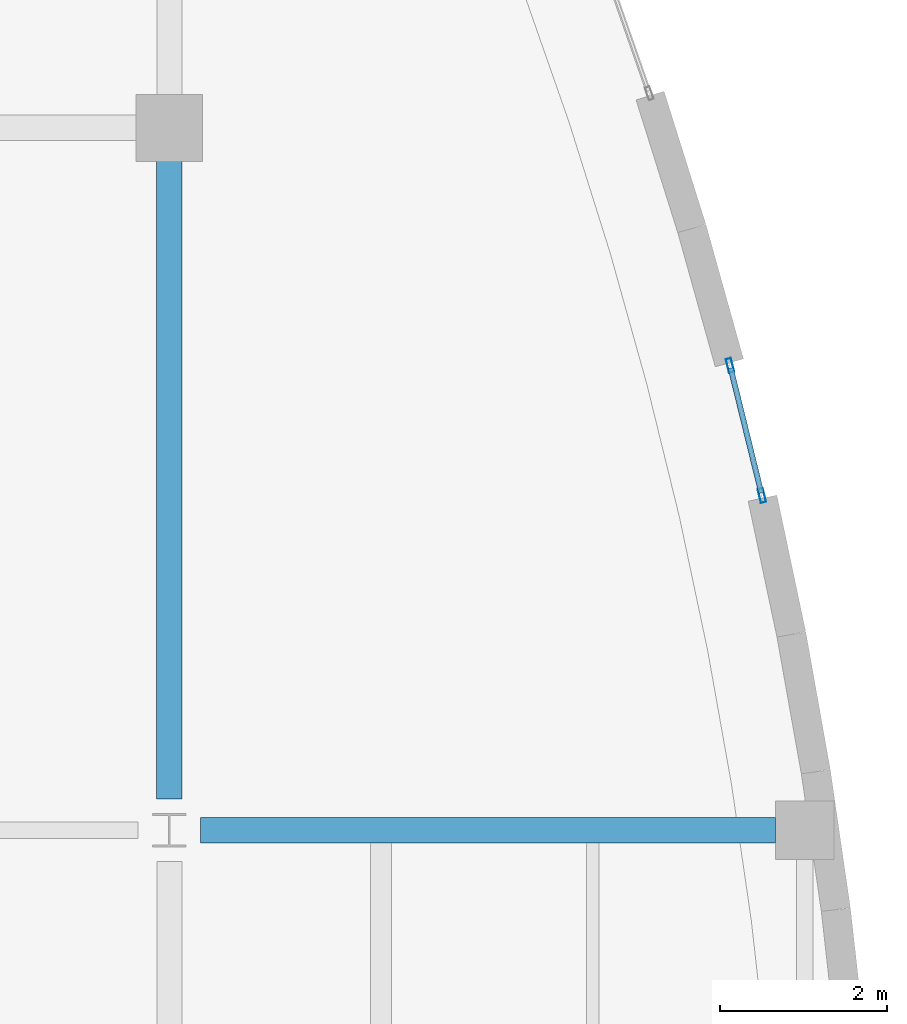
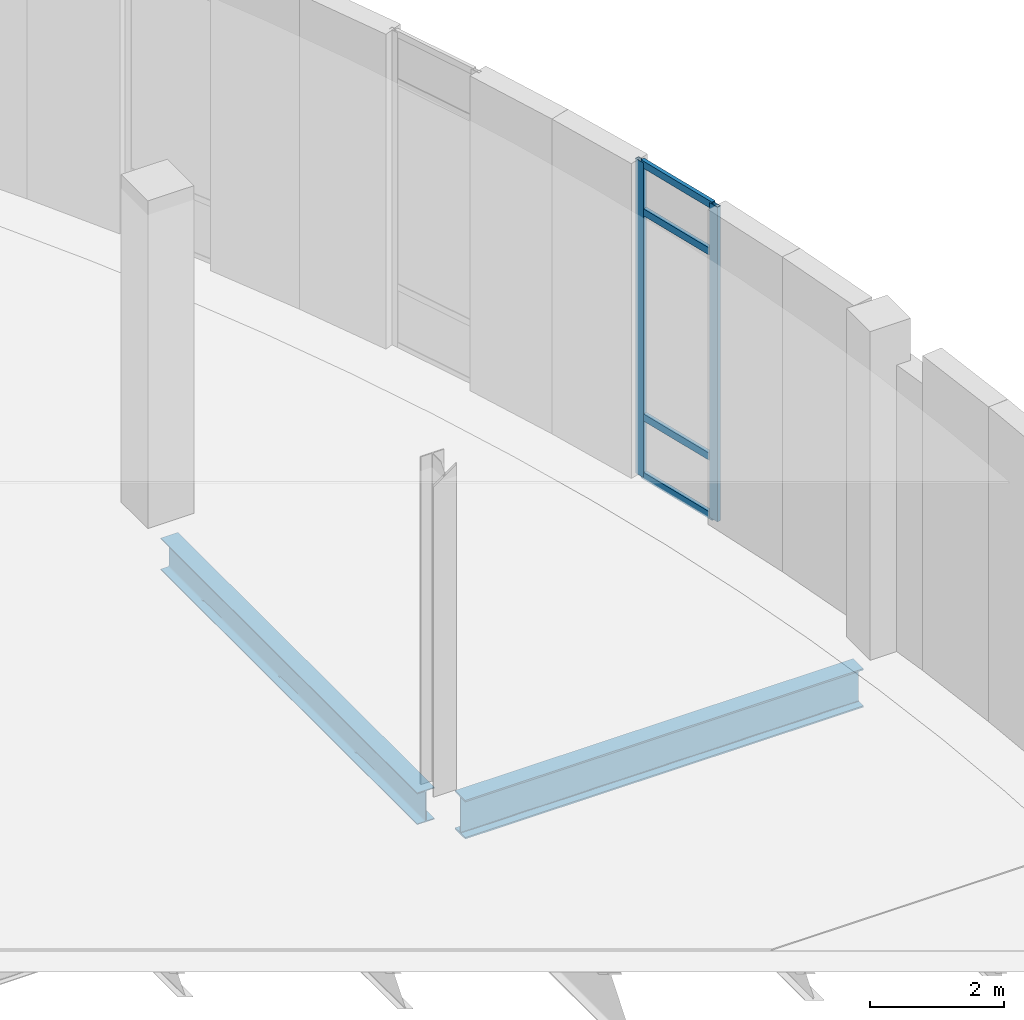
# One storey, part 32 of 85: 6 members, 2 beams, 1 element without a shape of its own.
"""IFC4 building model written with IfcOpenShell, lengths in metres."""

from ifc_helpers import new_model, si_unit, direction, frame, origin, origin_2d, place, context, subcontext, project, spatial, hollow_rectangle, i_section, extrude, material, layer, layer_set, material_profile, profile_set, type_object, element, aggregate, save


model = new_model("IFC4")

# Units and contexts
model_context = context("Model", 3, precision=1e-05, world=origin(), true_north=direction((0.0, 1.0)))
body_context = subcontext(model_context, "Body", "Model", "MODEL_VIEW")
ifc_project = project(units=[si_unit("LENGTHUNIT", "METRE"), si_unit("AREAUNIT", "SQUARE_METRE"), si_unit("VOLUMEUNIT", "CUBIC_METRE"), si_unit("PLANEANGLEUNIT", "RADIAN"), si_unit("MASSUNIT", "GRAM", prefix="KILO"), si_unit("THERMODYNAMICTEMPERATUREUNIT", "KELVIN")], contexts=[model_context])

# Site, building, storey
site_placement = place(None, origin())
site = spatial("IfcSite", under=ifc_project, at=site_placement, CompositionType="ELEMENT")
building_placement = place(site_placement, origin())
building = spatial("IfcBuilding", under=site, at=building_placement, Name="Lustrewick Department Store", CompositionType="ELEMENT")
storey_placement = place(building_placement, origin())
storey = spatial("IfcBuildingStorey", under=building, at=storey_placement, Name="L01", CompositionType="ELEMENT", Elevation=0.0)

# Curtain wall, members
ifc_material_1 = material(Name="Thermally broken aluminium 6063-T5", Category="aluminium")
ifc_layer = layer(ifc_material_1, 0.169921875, Name="Thermally broken aluminium 6063-T5")
ifc_layer_set = layer_set([ifc_layer], Name="Thermally broken aluminium 6063-T5")
curtain_wall_type = type_object("IfcCurtainWallType", Name="CW03", PredefinedType="NOTDEFINED", material=ifc_layer_set)
curtain_wall_placement = place(storey_placement, origin())
curtain_wall = element("IfcCurtainWall", 1, at=curtain_wall_placement, inside=storey, type_object=curtain_wall_type, Name="L01 V4 Curtain Wall CW03", PredefinedType="NOTDEFINED")
ifc_material_profile_1 = material_profile(ifc_material_1, hollow_rectangle(XDim=0.06494140625, YDim=0.169921875, WallThickness=0.00390625, at=origin_2d()), Name="ALU-M 65x170x4")
ifc_profile_set_1 = profile_set([ifc_material_profile_1], Name="Thermally broken aluminium 6063-T5")
member_type_1 = type_object("IfcMemberType", Name="CW03-M1", PredefinedType="MULLION", material=ifc_profile_set_1)
member_1_placement = place(storey_placement, frame((166.6884765625, 71.20263671875, 0.0), z_axis=(0.0, 0.0, 1.0), x_axis=(-0.971223151595, -0.238171345478, 0.0)))
member_1 = element("IfcMember", 2, at=member_1_placement, type_object=member_type_1, Name="CW03 mullion 1", PredefinedType="MULLION", context=body_context, shape_type="SweptSolid", body=[
    extrude(hollow_rectangle(XDim=0.06494140625, YDim=0.169921875, WallThickness=0.00390625, at=origin_2d()), origin(), (0.0, 0.0, 1.0), 5.7451171875),
])
member_2_placement = place(storey_placement, frame((166.30712890625, 72.758544921875, 0.0), z_axis=(0.0, 0.0, 1.0), x_axis=(-0.971223151595, -0.238171345478, 0.0)))
member_2 = element("IfcMember", 3, at=member_2_placement, type_object=member_type_1, Name="CW03 mullion 2", PredefinedType="MULLION", context=body_context, shape_type="SweptSolid", body=[
    extrude(hollow_rectangle(XDim=0.06494140625, YDim=0.169921875, WallThickness=0.00390625, at=origin_2d()), origin(), (0.0, 0.0, 1.0), 5.7451171875),
])
ifc_material_profile_2 = material_profile(ifc_material_1, hollow_rectangle(XDim=0.06494140625, YDim=0.1298828125, WallThickness=0.00341796875, at=origin_2d()), Name="ALU-T 65x130x3.5")
ifc_profile_set_2 = profile_set([ifc_material_profile_2], Name="Thermally broken aluminium 6063-T5")
member_type_2 = type_object("IfcMemberType", Name="CW03-T1", PredefinedType="USERDEFINED", material=ifc_profile_set_2)
member_3_placement = place(storey_placement, frame((166.680908203125, 71.234130859375, 0.032470703125), z_axis=(-0.238272414393, 0.971198361067, 0.0), x_axis=(-0.971198361067, -0.238272414393, 0.0)))
member_3 = element("IfcMember", 4, at=member_3_placement, type_object=member_type_2, Name="CW03 transom 1.1", ObjectType="TRANSOM", PredefinedType="USERDEFINED", context=body_context, shape_type="SweptSolid", body=[
    extrude(hollow_rectangle(XDim=0.06494140625, YDim=0.1298828125, WallThickness=0.00341796875, at=origin_2d()), origin(), (0.0, 0.0, 1.0), 1.536865234375),
])
member_4_placement = place(storey_placement, frame((166.680908203125, 71.234130859375, 1.10009765625), z_axis=(-0.238272414393, 0.971198361067, 0.0), x_axis=(-0.971198361067, -0.238272414393, 0.0)))
member_4 = element("IfcMember", 5, at=member_4_placement, type_object=member_type_2, Name="CW03 transom 1.2", ObjectType="TRANSOM", PredefinedType="USERDEFINED", context=body_context, shape_type="SweptSolid", body=[
    extrude(hollow_rectangle(XDim=0.06494140625, YDim=0.1298828125, WallThickness=0.00341796875, at=origin_2d()), origin(), (0.0, 0.0, 1.0), 1.536865234375),
])
member_5_placement = place(storey_placement, frame((166.680908203125, 71.234130859375, 4.844970703125), z_axis=(-0.238272414393, 0.971198361067, 0.0), x_axis=(-0.971198361067, -0.238272414393, 0.0)))
member_5 = element("IfcMember", 6, at=member_5_placement, type_object=member_type_2, Name="CW03 transom 1.3", ObjectType="TRANSOM", PredefinedType="USERDEFINED", context=body_context, shape_type="SweptSolid", body=[
    extrude(hollow_rectangle(XDim=0.06494140625, YDim=0.1298828125, WallThickness=0.00341796875, at=origin_2d()), origin(), (0.0, 0.0, 1.0), 1.536865234375),
])
member_6_placement = place(storey_placement, frame((166.680908203125, 71.234130859375, 5.71240234375), z_axis=(-0.238272414393, 0.971198361067, 0.0), x_axis=(-0.971198361067, -0.238272414393, 0.0)))
member_6 = element("IfcMember", 7, at=member_6_placement, type_object=member_type_2, Name="CW03 transom 1.4", ObjectType="TRANSOM", PredefinedType="USERDEFINED", context=body_context, shape_type="SweptSolid", body=[
    extrude(hollow_rectangle(XDim=0.06494140625, YDim=0.1298828125, WallThickness=0.00341796875, at=origin_2d()), origin(), (0.0, 0.0, 1.0), 1.536865234375),
])
aggregate(curtain_wall, [member_1, member_2, member_3, member_4, member_5, member_6])

# Beams
ifc_material_2 = material(Name="Structural steel Q355C", Category="steel")
ifc_material_profile_3 = material_profile(ifc_material_2, i_section(OverallWidth=0.302001953125, OverallDepth=0.7080078125, WebThickness=0.014892578125, FlangeThickness=0.028076171875, FilletRadius=0.02001953125, at=origin_2d()), Name="HN 708x302x15x28")
ifc_profile_set_3 = profile_set([ifc_material_profile_3], Name="Structural steel Q355C")
beam_type_1 = type_object("IfcBeamType", Name="G07", PredefinedType="BEAM", material=ifc_profile_set_3)
beam_1_placement = place(storey_placement, frame((159.97509765625, 67.199951171875, -0.6240234375), z_axis=(1.0, 0.0, 0.0), x_axis=(0.0, 1.0, 0.0)))
element("IfcBeam", 8, at=beam_1_placement, inside=storey, type_object=beam_type_1, Name="L01 V4 Girder G07", PredefinedType="BEAM", context=body_context, shape_type="SweptSolid", body=[
    extrude(i_section(OverallWidth=0.302001953125, OverallDepth=0.7080078125, WebThickness=0.014892578125, FlangeThickness=0.028076171875, FilletRadius=0.02001953125, at=origin_2d()), origin(), (0.0, 0.0, 1.0), 6.875),
])
ifc_material_3 = material(Name="Structural steel Q355B", Category="steel")
ifc_material_profile_4 = material_profile(ifc_material_3, i_section(OverallWidth=0.300048828125, OverallDepth=0.58203125, WebThickness=0.011962890625, FlangeThickness=0.01708984375, FilletRadius=0.02392578125, at=origin_2d()), Name="HM 582x300x12x17")
ifc_profile_set_4 = profile_set([ifc_material_profile_4], Name="Structural steel Q355B")
beam_type_2 = type_object("IfcBeamType", Name="G12", PredefinedType="BEAM", material=ifc_profile_set_4)
beam_2_placement = place(storey_placement, frame((159.60009765625, 67.574951171875, -0.56103515625), z_axis=(0.0, 1.0, 0.0), x_axis=(-1.0, 0.0, 0.0)))
element("IfcBeam", 9, at=beam_2_placement, inside=storey, type_object=beam_type_2, Name="L01 V4 Girder G12", PredefinedType="BEAM", context=body_context, shape_type="SweptSolid", body=[
    extrude(i_section(OverallWidth=0.300048828125, OverallDepth=0.58203125, WebThickness=0.011962890625, FlangeThickness=0.01708984375, FilletRadius=0.02392578125, at=origin_2d()), origin(), (0.0, 0.0, 1.0), 7.675048828125),
])

save(model, "model.ifc")
